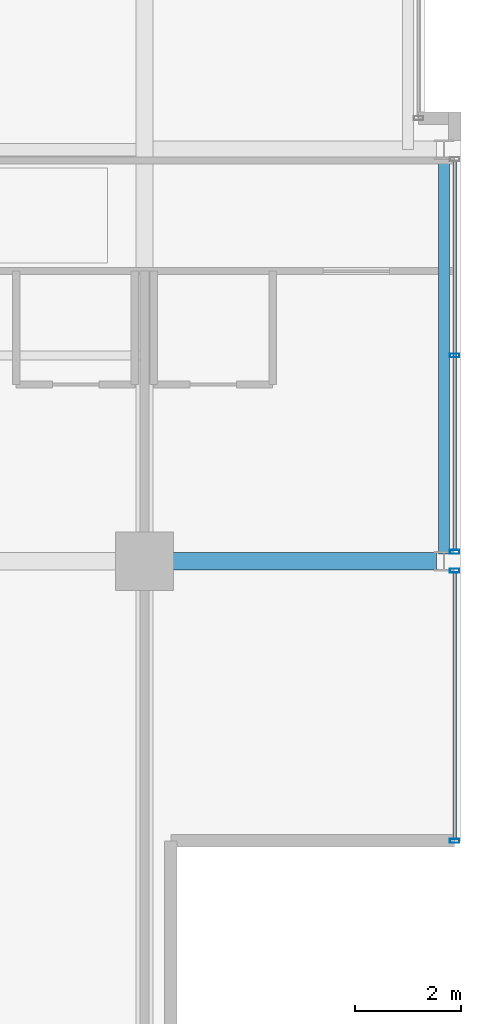
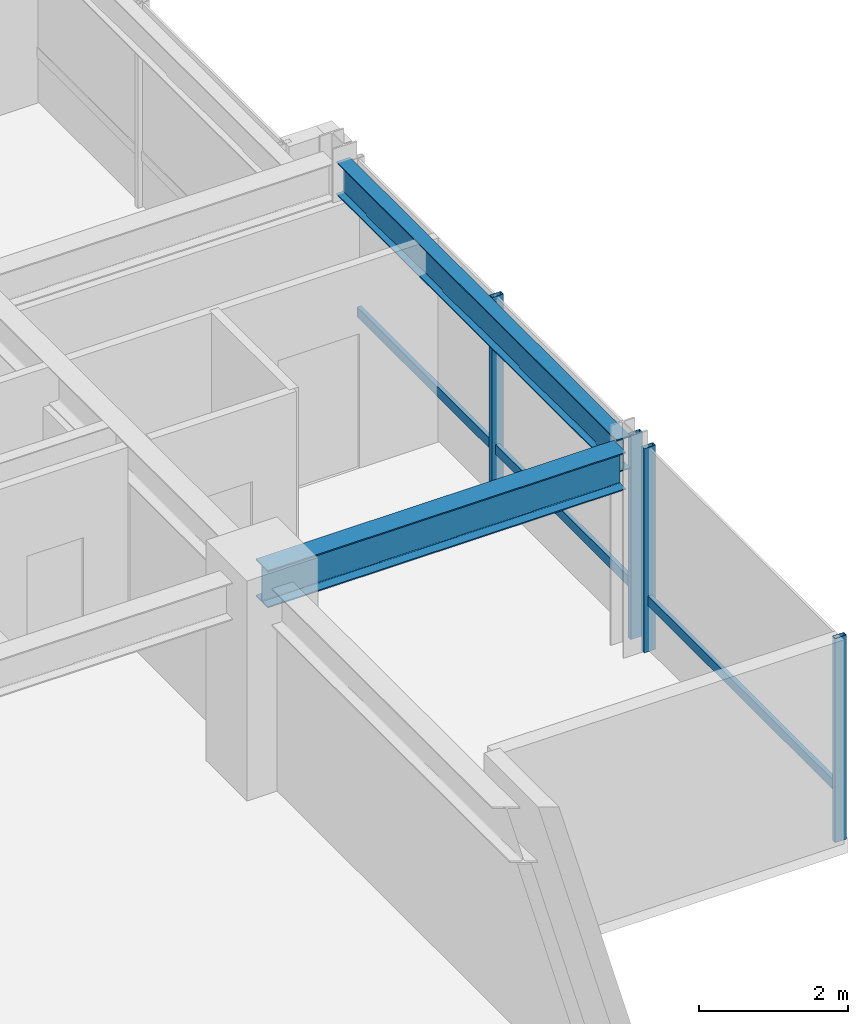
# One storey, part 13 of 32: 6 members, 2 beams, 2 elements without a shape of their own.
"""IFC4 building model written with IfcOpenShell, lengths in metres."""

import ifcopenshell
import ifcopenshell.guid

model = None  # the IFC model being written
_history = None  # IfcOwnerHistory: only IFC2X3 demands one
_inside = {}  # id of a spatial element -> (the spatial element, [elements in it])
_under = {}  # id of a project, library or spatial element -> (it, [spatial elements below it])
_declared = {}  # id of a project -> (the project, [libraries it declares])
_typed = {}  # id of a type object -> (the type object, [elements of that type])
_made_of = {}  # id of a material, layer set ... -> (it, [elements and type objects made of it])


def new_model(schema):
    """Start an empty IFC model of exactly this schema.

    Asked for "IFC4X3", IfcOpenShell would pick the latest addendum, in which some entities
    have other attributes; the version numbers below select the first issue.
    IFC2X3 requires an IfcOwnerHistory on every rooted entity: one is made here for all.
    """
    global model, _history
    if schema == "IFC4X3":
        model = ifcopenshell.file(schema_version=(4, 3, 0, 0))
    else:
        model = ifcopenshell.file(schema=schema)
    _inside.clear()
    _under.clear()
    _declared.clear()
    _typed.clear()
    _made_of.clear()
    _history = None
    if model.schema == "IFC2X3":
        org = make("IfcOrganization", Name="unknown")
        user = make(
            "IfcPersonAndOrganization",
            ThePerson=make("IfcPerson", FamilyName="unknown"),
            TheOrganization=org,
        )
        app = make(
            "IfcApplication",
            ApplicationDeveloper=org,
            Version="unknown",
            ApplicationFullName="unknown",
            ApplicationIdentifier="unknown",
        )
        _history = make(
            "IfcOwnerHistory",
            OwningUser=user,
            OwningApplication=app,
            ChangeAction="ADDED",
            CreationDate=0,
        )
    return model


def make(cls, **values):
    """One entity of the class cls with the attributes given. An attribute that is None is left unset."""
    return model.create_entity(
        cls, **{name: value for name, value in values.items() if value is not None}
    )


def rooted(cls, **values):
    """An entity with a GlobalId (a new one), such as an element, a storey or a relation."""
    return make(cls, GlobalId=ifcopenshell.guid.new(), OwnerHistory=_history, **values)


def si_unit(unit_type, name, prefix=None):
    """IfcSIUnit, for example si_unit("LENGTHUNIT", "METRE", prefix="MILLI")."""
    return make("IfcSIUnit", UnitType=unit_type, Prefix=prefix, Name=name)


def assignment(units):
    """IfcUnitAssignment: the units of a project."""
    return None if units is None else make("IfcUnitAssignment", Units=units)


def point(xyz):
    """IfcCartesianPoint."""
    return None if xyz is None else make("IfcCartesianPoint", Coordinates=xyz)


def direction(xyz):
    """IfcDirection."""
    return None if xyz is None else make("IfcDirection", DirectionRatios=xyz)


def frame(location, z_axis=None, x_axis=None):
    """IfcAxis2Placement3D, a coordinate frame: its origin and axes. An axis left out is left unset."""
    return make(
        "IfcAxis2Placement3D",
        Location=point(location),
        Axis=direction(z_axis),
        RefDirection=direction(x_axis),
    )


def frame_2d(location, x_axis=None):
    """IfcAxis2Placement2D, a coordinate frame in the plane: its origin and x axis."""
    return make(
        "IfcAxis2Placement2D", Location=point(location), RefDirection=direction(x_axis)
    )


def origin():
    """The frame at (0, 0, 0) with its axes left unset."""
    return frame((0.0, 0.0, 0.0))


def origin_2d():
    """The frame at (0, 0) in the plane with its x axis left unset."""
    return frame_2d((0.0, 0.0))


def place(relative_to, where):
    """IfcLocalPlacement: puts the frame where relative to a parent placement (None: the world)."""
    return make(
        "IfcLocalPlacement", PlacementRelTo=relative_to, RelativePlacement=where
    )


def context(
    kind, dimensions, precision=None, world=None, true_north=None, identifier=None
):
    """IfcGeometricRepresentationContext, for example the 3D "Model" context."""
    return make(
        "IfcGeometricRepresentationContext",
        ContextIdentifier=identifier,
        ContextType=kind,
        CoordinateSpaceDimension=dimensions,
        Precision=precision,
        WorldCoordinateSystem=world,
        TrueNorth=true_north,
    )


def subcontext(parent, identifier, kind, view, scale=None):
    """IfcGeometricRepresentationSubContext, for example "Body" below "Model"."""
    return make(
        "IfcGeometricRepresentationSubContext",
        ContextIdentifier=identifier,
        ContextType=kind,
        ParentContext=parent,
        TargetScale=scale,
        TargetView=view,
    )


def project(units=None, contexts=None):
    """IfcProject with its units and contexts."""
    return rooted(
        "IfcProject",
        Name="project",
        RepresentationContexts=contexts,
        UnitsInContext=assignment(units),
    )


def spatial(cls, under=None, at=None, **own):
    """A site, building, storey or space (cls), placed at a placement, below another one or the project."""
    s = rooted(cls, ObjectPlacement=at, **own)
    if under is not None:
        _under.setdefault(under.id(), (under, []))[1].append(s)
    return s


def profile(cls, at=None, kind="AREA", **sizes):
    """A parametric profile (cls). Its sizes go by their IFC names, for example OverallWidth=200.0."""
    return make(cls, ProfileType=kind, Position=at, **sizes)


def hollow_rectangle(**sizes):
    """IfcRectangleHollowProfileDef."""
    return profile("IfcRectangleHollowProfileDef", **sizes)


def i_section(**sizes):
    """IfcIShapeProfileDef."""
    return profile("IfcIShapeProfileDef", **sizes)


def extrude(swept, where, along, depth):
    """IfcExtrudedAreaSolid: the profile swept, set in the frame where, extruded along a direction by depth."""
    return make(
        "IfcExtrudedAreaSolid",
        SweptArea=swept,
        Position=where,
        ExtrudedDirection=direction(along),
        Depth=depth,
    )


def shape(context_of_items, identifier, shape_type, items):
    """IfcShapeRepresentation: the items that make up one representation, for example the "Body"."""
    return make(
        "IfcShapeRepresentation",
        ContextOfItems=context_of_items,
        RepresentationIdentifier=identifier,
        RepresentationType=shape_type,
        Items=items,
    )


def material(Name=None, Category=None):
    """IfcMaterial."""
    return make("IfcMaterial", Name=Name, Category=Category)


def layer(
    of_material, thickness, ventilated=None, Name=None, Category=None, Priority=None
):
    """IfcMaterialLayer: one layer of a wall or slab, of a material (None: an air gap)."""
    return make(
        "IfcMaterialLayer",
        Material=of_material,
        LayerThickness=thickness,
        IsVentilated=ventilated,
        Name=Name,
        Category=Category,
        Priority=Priority,
    )


def layer_set(layers, Name=None):
    """IfcMaterialLayerSet."""
    return make("IfcMaterialLayerSet", MaterialLayers=layers, LayerSetName=Name)


def material_profile(
    of_material, cross_section, Name=None, Category=None, Priority=None
):
    """IfcMaterialProfile: a cross section and its material."""
    return make(
        "IfcMaterialProfile",
        Name=Name,
        Material=of_material,
        Profile=cross_section,
        Priority=Priority,
        Category=Category,
    )


def profile_set(profiles, Name=None, composite=None):
    """IfcMaterialProfileSet."""
    return make(
        "IfcMaterialProfileSet",
        Name=Name,
        MaterialProfiles=profiles,
        CompositeProfile=composite,
    )


def made_of(thing, what):
    """Note that an element or type object is made of a material, layer set ...; save() writes the relation."""
    if what is not None:
        _made_of.setdefault(what.id(), (what, []))[1].append(thing)
    return thing


def type_object(cls, material=None, **own):
    """A type object (cls), such as IfcWallType, which elements share."""
    return made_of(rooted(cls, **own), material)


def element(
    cls,
    number,
    at=None,
    inside=None,
    cuts=None,
    type_object=None,
    material=None,
    context=None,
    identifier="Body",
    shape_type=None,
    held_by="IfcProductDefinitionShape",
    body=None,
    shapes=None,
    **own,
):
    """One element of the class cls, such as IfcWall. Its Tag is "e" and its number.

    at: its placement. inside: the storey or other place that contains it. cuts: it is an
    opening in that element (IfcRelVoidsElement). A single representation is given by context,
    identifier, shape_type and body (its items); several are given by shapes. held_by: the class
    of the entity that holds the representations. save() writes the other relations.
    """
    e = rooted(cls, Tag="e%d" % number, ObjectPlacement=at, **own)
    if body is not None:
        shapes = [shape(context, identifier, shape_type, body)]
    if shapes is not None:
        e.Representation = make(held_by, Representations=shapes)
    if inside is not None:
        _inside.setdefault(inside.id(), (inside, []))[1].append(e)
    if cuts is not None:
        rooted(
            "IfcRelVoidsElement", RelatingBuildingElement=cuts, RelatedOpeningElement=e
        )
    if type_object is not None:
        _typed.setdefault(type_object.id(), (type_object, []))[1].append(e)
    return made_of(e, material)


def aggregate(whole, parts):
    """IfcRelAggregates: a whole, such as a stair, and the parts it consists of."""
    return rooted("IfcRelAggregates", RelatingObject=whole, RelatedObjects=parts)


def save(model, path):
    """Write the relations noted so far, then the file.

    IfcRelAggregates (storeys below a building ...), IfcRelContainedInSpatialStructure (elements
    in a storey), IfcRelDefinesByType, IfcRelAssociatesMaterial and IfcRelDeclares: one each for
    every whole, place, type object, material and project.
    """
    for whole, parts in _under.values():
        aggregate(whole, parts)
    for where, things in _inside.values():
        rooted(
            "IfcRelContainedInSpatialStructure",
            RelatedElements=things,
            RelatingStructure=where,
        )
    for kind, things in _typed.values():
        rooted("IfcRelDefinesByType", RelatedObjects=things, RelatingType=kind)
    for what, things in _made_of.values():
        rooted("IfcRelAssociatesMaterial", RelatedObjects=things, RelatingMaterial=what)
    for by, libraries in _declared.values():
        rooted("IfcRelDeclares", RelatingContext=by, RelatedDefinitions=libraries)
    model.write(path)


model = new_model("IFC4")

# Units and contexts
model_context = context("Model", 3, precision=1e-05, world=origin(), true_north=direction((0.0, 1.0)))
body_context = subcontext(model_context, "Body", "Model", "MODEL_VIEW")
ifc_project = project(units=[si_unit("LENGTHUNIT", "METRE"), si_unit("AREAUNIT", "SQUARE_METRE"), si_unit("VOLUMEUNIT", "CUBIC_METRE"), si_unit("PLANEANGLEUNIT", "RADIAN"), si_unit("MASSUNIT", "GRAM", prefix="KILO")], contexts=[model_context])

# Site, building, storey
site_placement = place(None, origin())
site = spatial("IfcSite", under=ifc_project, at=site_placement, CompositionType="ELEMENT")
building_placement = place(site_placement, origin())
building = spatial("IfcBuilding", under=site, at=building_placement, Name="Drelvath Grand Hotel", CompositionType="ELEMENT")
storey_placement = place(building_placement, frame((0.0, 0.0, 241.10009765625)))
storey = spatial("IfcBuildingStorey", under=building, at=storey_placement, Name="L63", CompositionType="ELEMENT", Elevation=241.10009765625)

# Curtain wall, member
ifc_material_1 = material(Name="Platinum-Mist Anodised Aluminium Frame", Category="aluminium")
ifc_layer = layer(ifc_material_1, 0.199951171875)
ifc_layer_set = layer_set([ifc_layer], Name="Platinum-Mist Anodised Aluminium Frame")
curtain_wall_type = type_object("IfcCurtainWallType", Name="Stick Curtain Wall CW-05 Platinum Mist High-Rise", PredefinedType="NOTDEFINED", material=ifc_layer_set)
curtain_wall_1_placement = place(storey_placement, origin())
curtain_wall_1 = element("IfcCurtainWall", 1, at=curtain_wall_1_placement, inside=storey, type_object=curtain_wall_type, Name="L63 CW-05 Curtain Wall CW05-L63-ES1", PredefinedType="NOTDEFINED")
ifc_material_profile_1 = material_profile(ifc_material_1, hollow_rectangle(XDim=0.06494140625, YDim=0.159912109375, WallThickness=0.00390625, at=origin_2d()), Name="HSS160X65X4")
ifc_profile_set_1 = profile_set([ifc_material_profile_1], Name="Platinum-Mist Anodised Aluminium Frame")
member_type_1 = type_object("IfcMemberType", Name="Curtain Wall Horizontal Transom CW-05 HSS160X65X4", PredefinedType="USERDEFINED", material=ifc_profile_set_1)
member_1_placement = place(storey_placement, frame((22.080078125, 10.581787109375, 0.8349609375), z_axis=(0.0, -1.0, 0.0), x_axis=(1.0, 0.0, 0.0)))
member_1 = element("IfcMember", 2, at=member_1_placement, type_object=member_type_1, Name="CW05-L63-ES1 Sill Transom", ObjectType="TRANSOM", PredefinedType="USERDEFINED", context=body_context, shape_type="SweptSolid", body=[
    extrude(hollow_rectangle(XDim=0.06494140625, YDim=0.159912109375, WallThickness=0.00390625, at=origin_2d()), origin(), (0.0, 0.0, 1.0), 5.041748046875),
])

curtain_wall_2_placement = place(storey_placement, origin())
curtain_wall_2 = element("IfcCurtainWall", 3, at=curtain_wall_2_placement, inside=storey, type_object=curtain_wall_type, Name="L63 CW-05 Curtain Wall CW05-L63-ES2", PredefinedType="NOTDEFINED")
member_2_placement = place(storey_placement, frame((22.080078125, 18.3818359375, 0.8349609375), z_axis=(0.0, -1.0, 0.0), x_axis=(1.0, 0.0, 0.0)))
member_2 = element("IfcMember", 4, at=member_2_placement, type_object=member_type_1, Name="CW05-L63-ES2 Sill Transom", ObjectType="TRANSOM", PredefinedType="USERDEFINED", context=body_context, shape_type="SweptSolid", body=[
    extrude(hollow_rectangle(XDim=0.06494140625, YDim=0.159912109375, WallThickness=0.00390625, at=origin_2d()), origin(), (0.0, 0.0, 1.0), 7.363525390625),
])

# Member
ifc_material_profile_2 = material_profile(ifc_material_1, hollow_rectangle(XDim=0.074951171875, YDim=0.179931640625, WallThickness=0.0048828125, at=origin_2d()), Name="HSS180X75X5")
ifc_profile_set_2 = profile_set([ifc_material_profile_2], Name="Platinum-Mist Anodised Aluminium Frame")
member_type_2 = type_object("IfcMemberType", Name="Curtain Wall Vertical Mullion CW-05 HSS180X75X5", PredefinedType="MULLION", material=ifc_profile_set_2)
member_3_placement = place(storey_placement, frame((22.080078125, 10.621826171875, 0.0), z_axis=(0.0, 0.0, 1.0), x_axis=(0.0, 1.0, 0.0)))
member_3 = element("IfcMember", 5, at=member_3_placement, type_object=member_type_2, Name="CW05-L63-ES1 Mullion 1", PredefinedType="MULLION", context=body_context, shape_type="SweptSolid", body=[
    extrude(hollow_rectangle(XDim=0.074951171875, YDim=0.179931640625, WallThickness=0.0048828125, at=origin_2d()), origin(), (0.0, 0.0, 1.0), 3.33984375),
])

member_4_placement = place(storey_placement, frame((22.080078125, 5.5, 0.0), z_axis=(0.0, 0.0, 1.0), x_axis=(0.0, 1.0, 0.0)))
member_4 = element("IfcMember", 6, at=member_4_placement, type_object=member_type_2, Name="CW05-L63-ES1 Mullion 2", PredefinedType="MULLION", context=body_context, shape_type="SweptSolid", body=[
    extrude(hollow_rectangle(XDim=0.074951171875, YDim=0.179931640625, WallThickness=0.0048828125, at=origin_2d()), origin(), (0.0, 0.0, 1.0), 3.33984375),
])

aggregate(curtain_wall_1, [member_3, member_4, member_1])

member_5_placement = place(storey_placement, frame((22.080078125, 14.699951171875, 0.0), z_axis=(0.0, 0.0, 1.0), x_axis=(0.0, 1.0, 0.0)))
member_5 = element("IfcMember", 7, at=member_5_placement, type_object=member_type_2, Name="CW05-L63-ES2 Mullion 2", PredefinedType="MULLION", context=body_context, shape_type="SweptSolid", body=[
    extrude(hollow_rectangle(XDim=0.074951171875, YDim=0.179931640625, WallThickness=0.0048828125, at=origin_2d()), origin(), (0.0, 0.0, 1.0), 3.33984375),
])

member_6_placement = place(storey_placement, frame((22.080078125, 10.978271484375, 0.0), z_axis=(0.0, 0.0, 1.0), x_axis=(0.0, 1.0, 0.0)))
member_6 = element("IfcMember", 8, at=member_6_placement, type_object=member_type_2, Name="CW05-L63-ES2 Mullion 3", PredefinedType="MULLION", context=body_context, shape_type="SweptSolid", body=[
    extrude(hollow_rectangle(XDim=0.074951171875, YDim=0.179931640625, WallThickness=0.0048828125, at=origin_2d()), origin(), (0.0, 0.0, 1.0), 3.33984375),
])

aggregate(curtain_wall_2, [member_5, member_6, member_2])

# Beams
ifc_material_2 = material(Name="Steel ASTM A992 Gr 50", Category="steel")
ifc_material_profile_3 = material_profile(ifc_material_2, i_section(OverallWidth=0.210205078125, OverallDepth=0.53662109375, WebThickness=0.010986328125, FlangeThickness=0.017333984375, FilletRadius=0.01806640625, at=origin_2d()), Name="W21X68")
ifc_profile_set_3 = profile_set([ifc_material_profile_3], Name="Steel ASTM A992 Gr 50")
beam_type_1 = type_object("IfcBeamType", Name="Perimeter Spandrel Beam W21X68", PredefinedType="SPANDREL", material=ifc_profile_set_3)
beam_1_placement = place(storey_placement, frame((21.8798828125, 10.93994140625, 3.071533203125), z_axis=(0.0, 1.0, 0.0), x_axis=(-1.0, 0.0, 0.0)))
element("IfcBeam", 9, at=beam_1_placement, inside=storey, type_object=beam_type_1, Name="L63 Spandrel East S", PredefinedType="SPANDREL", context=body_context, shape_type="SweptSolid", body=[
    extrude(i_section(OverallWidth=0.210205078125, OverallDepth=0.53662109375, WebThickness=0.010986328125, FlangeThickness=0.017333984375, FilletRadius=0.01806640625, at=origin_2d()), origin(), (0.0, 0.0, 1.0), 7.52001953125),
])
ifc_material_profile_4 = material_profile(ifc_material_2, i_section(OverallWidth=0.323974609375, OverallDepth=0.611083984375, WebThickness=0.0126953125, FlangeThickness=0.01904296875, FilletRadius=0.02197265625, at=origin_2d()), Name="W24X104")
ifc_profile_set_4 = profile_set([ifc_material_profile_4], Name="Steel ASTM A992 Gr 50")
beam_type_2 = type_object("IfcBeamType", Name="Primary Floor Girder W24X104", PredefinedType="BEAM", material=ifc_profile_set_4)
beam_2_placement = place(storey_placement, frame((16.199951171875, 10.800048828125, 3.034423828125), z_axis=(1.0, 0.0, 0.0), x_axis=(0.0, 1.0, 0.0)))
element("IfcBeam", 10, at=beam_2_placement, inside=storey, type_object=beam_type_2, Name="L63 East Grid Girder C", PredefinedType="BEAM", context=body_context, shape_type="SweptSolid", body=[
    extrude(i_section(OverallWidth=0.323974609375, OverallDepth=0.611083984375, WebThickness=0.0126953125, FlangeThickness=0.01904296875, FilletRadius=0.02197265625, at=origin_2d()), origin(), (0.0, 0.0, 1.0), 5.5400390625),
])

save(model, "model.ifc")
